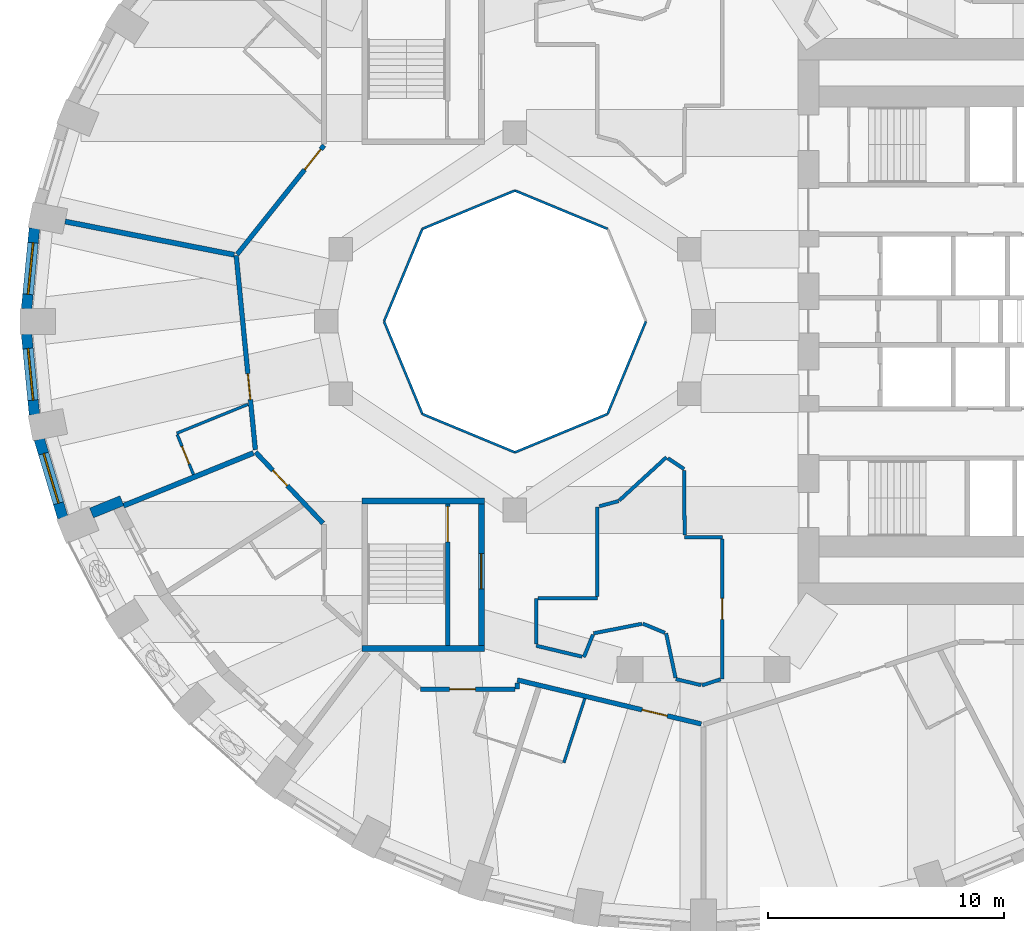
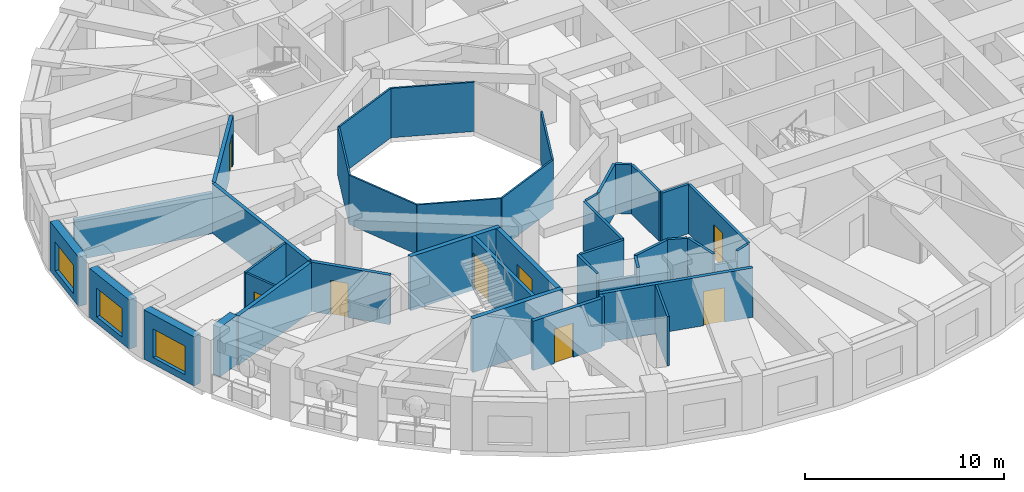
# One storey, part 4 of 13: 42 walls, 9 doors, 3 windows, 12 openings.
"""IFC4 building model written with IfcOpenShell, lengths in metres."""

from ifc_helpers import new_model, si_unit, direction, frame, frame_2d, origin, place, context, subcontext, project, spatial, rectangle, extrude, material, layer, layer_set, type_object, element, fill, save


model = new_model("IFC4")

# Units and contexts
model_context = context("Model", 3, precision=1e-05, world=origin(), true_north=direction((0.0, 1.0)))
body_context = subcontext(model_context, "Body", "Model", "MODEL_VIEW")
ifc_project = project(units=[si_unit("LENGTHUNIT", "METRE"), si_unit("AREAUNIT", "SQUARE_METRE"), si_unit("VOLUMEUNIT", "CUBIC_METRE"), si_unit("PLANEANGLEUNIT", "RADIAN"), si_unit("MASSUNIT", "GRAM", prefix="KILO")], contexts=[model_context])

# Site, building, storey
site_placement = place(None, origin())
site = spatial("IfcSite", under=ifc_project, at=site_placement, CompositionType="ELEMENT")
building_placement = place(site_placement, origin())
building = spatial("IfcBuilding", under=site, at=building_placement, Name="Taillehof Tower", CompositionType="ELEMENT")
storey_placement = place(building_placement, frame((0.0, 0.0, 58.0)))
storey = spatial("IfcBuildingStorey", under=building, at=storey_placement, Name="L15", CompositionType="ELEMENT", Elevation=58.0)

# Walls
ifc_material_1 = material(Name="Fire-resisting glass in steel frame", Category="steel")
ifc_layer_1 = layer(ifc_material_1, 0.10009765625)
ifc_layer_set_1 = layer_set([ifc_layer_1], Name="Atrium fire-resisting screen EI 60 100")
wall_type_1 = type_object("IfcWallType", Name="Atrium fire-resisting screen EI 60 100", PredefinedType="PARTITIONING", material=ifc_layer_set_1)
for number, where, z_axis, x_axis, name in (
    (1, (-2.44580078125, 0.0, 0.0), (0.0, 0.0, 1.0), (-0.382730523909, -0.923860025149, 0.0), "Atrium screen"),
    (2, (-4.07275390625, -3.92724609375, 0.0), (0.0, 0.0, 1.0), (-0.923860025149, -0.382730523909, 0.0), "Atrium screen"),
    (3, (-8.0, -5.55419921875, 0.0), (0.0, 0.0, 1.0), (-0.923860025149, 0.382730523909, 0.0), "Atrium screen"),
    (4, (-11.92724609375, -3.92724609375, 0.0), (0.0, 0.0, 1.0), (-0.382730523909, 0.923860025149, 0.0), "Atrium screen"),
    (5, (-13.55419921875, 0.0, 0.0), (0.0, 0.0, 1.0), (0.382730523909, 0.923860025149, 0.0), "Atrium screen"),
    (6, (-11.92724609375, 3.92724609375, 0.0), (0.0, 0.0, 1.0), (0.923860025149, 0.382730523909, 0.0), "Atrium screen"),
    (7, (-8.0, 5.55419921875, 0.0), (0.0, 0.0, 1.0), (0.923860025149, -0.382730523909, 0.0), "Atrium screen"),
):
    element("IfcWall", number, at=place(storey_placement, frame(where, z_axis=z_axis, x_axis=x_axis)), inside=storey, type_object=wall_type_1, Name=name, PredefinedType="PARTITIONING", context=body_context, shape_type="SweptSolid", body=[
        extrude(rectangle(XDim=4.2509765625, YDim=0.10009765625, at=frame_2d((2.12548828125, 0.0))), origin(), (0.0, 0.0, 1.0), 3.02001953125),
    ])

# Wall, opening, window
ifc_material_2 = material(Name="Brick masonry", Category="masonry")
ifc_layer_2 = layer(ifc_material_2, 0.449951171875)
ifc_layer_set_2 = layer_set([ifc_layer_2], Name="Brick infill wall 450")
wall_type_2 = type_object("IfcWallType", Name="Brick infill wall 450", PredefinedType="SOLIDWALL", material=ifc_layer_set_2)
wall_1_placement = place(storey_placement, frame((-28.38671875, 3.95556640625, 0.0), z_axis=(0.0, 0.0, 1.0), x_axis=(-0.097389581596, -0.995246336038, 0.0)))
wall_1 = element("IfcWall", 8, at=wall_1_placement, inside=storey, type_object=wall_type_2, Name="Brick wall L15 bay 18", PredefinedType="SOLIDWALL", context=body_context, shape_type="SweptSolid", body=[
    extrude(rectangle(XDim=3.44189453125, YDim=0.449951171875, at=frame_2d((1.720947265625, 0.0))), origin(), (0.0, 0.0, 1.0), 3.02001953125),
])
opening_1_placement = place(wall_1_placement, frame((0.62109375, 0.0, 0.39990234375)))
opening_1 = element("IfcOpeningElement", 9, at=opening_1_placement, cuts=wall_1, Name="Opening W1", PredefinedType="OPENING", context=body_context, shape_type="SweptSolid", body=[
    extrude(rectangle(XDim=2.199951171875, YDim=1.75, at=frame_2d((1.10009765625, 0.875))), frame((0.0, 0.23486328125, 0.0), z_axis=(0.0, -1.0, 0.0), x_axis=(1.0, 0.0, 0.0)), (0.0, 0.0, 1.0), 0.469970703125),
])
ifc_material_3 = material(Name="Aluminium window frame with clear double glazing", Category="aluminium")
window_type = type_object("IfcWindowType", Name="Deep-set window 2200x1750", PartitioningType="SINGLE_PANEL", PredefinedType="WINDOW", material=ifc_material_3)
window_1_placement = place(opening_1_placement, origin())
window_1 = element("IfcWindow", 10, at=window_1_placement, inside=storey, type_object=window_type, Name="W1", OverallHeight=1.75, OverallWidth=2.199951171875, PartitioningType="SINGLE_PANEL", PredefinedType="WINDOW", context=body_context, shape_type="SweptSolid", body=[
    extrude(rectangle(XDim=2.199951171875, YDim=1.75, at=frame_2d((1.10009765625, 0.875))), frame((0.0, 0.034912109375, 0.0), z_axis=(0.0, -1.0, 0.0), x_axis=(1.0, 0.0, 0.0)), (0.0, 0.0, 1.0), 0.06005859375),
])
fill(opening_1, window_1)

wall_2_placement = place(storey_placement, frame((-28.721923828125, -0.530029296875, 0.0), z_axis=(0.0, 0.0, 1.0), x_axis=(0.097389581596, -0.995246336038, 0.0)))
wall_2 = element("IfcWall", 11, at=wall_2_placement, inside=storey, type_object=wall_type_2, Name="Brick wall L15 bay 19", PredefinedType="SOLIDWALL", context=body_context, shape_type="SweptSolid", body=[
    extrude(rectangle(XDim=3.44189453125, YDim=0.449951171875, at=frame_2d((1.720947265625, 0.0))), origin(), (0.0, 0.0, 1.0), 3.02001953125),
])
opening_2_placement = place(wall_2_placement, frame((0.62109375, 0.0, 0.39990234375)))
opening_2 = element("IfcOpeningElement", 12, at=opening_2_placement, cuts=wall_2, Name="Opening W1", PredefinedType="OPENING", context=body_context, shape_type="SweptSolid", body=[
    extrude(rectangle(XDim=2.199951171875, YDim=1.75, at=frame_2d((1.10009765625, 0.875))), frame((0.0, 0.23486328125, 0.0), z_axis=(0.0, -1.0, 0.0), x_axis=(1.0, 0.0, 0.0)), (0.0, 0.0, 1.0), 0.469970703125),
])
window_2_placement = place(opening_2_placement, origin())
window_2 = element("IfcWindow", 13, at=window_2_placement, inside=storey, type_object=window_type, Name="W1", OverallHeight=1.75, OverallWidth=2.199951171875, PartitioningType="SINGLE_PANEL", PredefinedType="WINDOW", context=body_context, shape_type="SweptSolid", body=[
    extrude(rectangle(XDim=2.199951171875, YDim=1.75, at=frame_2d((1.10009765625, 0.875))), frame((0.0, 0.034912109375, 0.0), z_axis=(0.0, -1.0, 0.0), x_axis=(1.0, 0.0, 0.0)), (0.0, 0.0, 1.0), 0.06005859375),
])
fill(opening_2, window_2)

wall_3_placement = place(storey_placement, frame((-28.181884765625, -4.995849609375, 0.0), z_axis=(0.0, 0.0, 1.0), x_axis=(0.287064133733, -0.957911364963, 0.0)))
wall_3 = element("IfcWall", 14, at=wall_3_placement, inside=storey, type_object=wall_type_2, Name="Brick wall L15 bay 20", PredefinedType="SOLIDWALL", context=body_context, shape_type="SweptSolid", body=[
    extrude(rectangle(XDim=3.473388671875, YDim=0.449951171875, at=frame_2d((1.73681640625, 0.0))), origin(), (0.0, 0.0, 1.0), 3.02001953125),
])
opening_3_placement = place(wall_3_placement, frame((0.63671875, 0.0, 0.39990234375)))
opening_3 = element("IfcOpeningElement", 15, at=opening_3_placement, cuts=wall_3, Name="Opening W1", PredefinedType="OPENING", context=body_context, shape_type="SweptSolid", body=[
    extrude(rectangle(XDim=2.199951171875, YDim=1.75, at=frame_2d((1.10009765625, 0.875))), frame((0.0, 0.23486328125, 0.0), z_axis=(0.0, -1.0, 0.0), x_axis=(1.0, 0.0, 0.0)), (0.0, 0.0, 1.0), 0.469970703125),
])
window_3_placement = place(opening_3_placement, origin())
window_3 = element("IfcWindow", 16, at=window_3_placement, inside=storey, type_object=window_type, Name="W1", OverallHeight=1.75, OverallWidth=2.199951171875, PartitioningType="SINGLE_PANEL", PredefinedType="WINDOW", context=body_context, shape_type="SweptSolid", body=[
    extrude(rectangle(XDim=2.199951171875, YDim=1.75, at=frame_2d((1.10009765625, 0.875))), frame((0.0, 0.034912109375, 0.0), z_axis=(0.0, -1.0, 0.0), x_axis=(1.0, 0.0, 0.0)), (0.0, 0.0, 1.0), 0.06005859375),
])
fill(opening_3, window_3)

# Wall
wall_4_placement = place(storey_placement, frame((-25.96484375, -8.12744140625, 0.0), z_axis=(0.0, 0.0, 1.0), x_axis=(0.926575599743, 0.376108572039, 0.0)))
element("IfcWall", 17, at=wall_4_placement, inside=storey, type_object=wall_type_2, Name="Brick reveal L15 pocket 6", PredefinedType="SOLIDWALL", context=body_context, shape_type="SweptSolid", body=[
    extrude(rectangle(XDim=1.390380859375, YDim=0.449951171875, at=frame_2d((0.6953125, 0.0))), origin(), (0.0, 0.0, 1.0), 3.02001953125),
])

# Wall, opening, door
ifc_material_4 = material(Name="Gypsum board on steel studs, two layers each side", Category="steel")
ifc_layer_3 = layer(ifc_material_4, 0.199951171875)
ifc_layer_set_3 = layer_set([ifc_layer_3], Name="Compartment wall corridor 200")
wall_type_3 = type_object("IfcWallType", Name="Compartment wall corridor 200", PredefinedType="PARTITIONING", material=ifc_layer_set_3)
wall_5_placement = place(storey_placement, frame((-16.14111328125, -8.565673828125, 0.0), z_axis=(0.0, 0.0, 1.0), x_axis=(-0.687938220375, 0.725769250483, 0.0)))
wall_5 = element("IfcWall", 18, at=wall_5_placement, inside=storey, type_object=wall_type_3, Name="Compartment wall", PredefinedType="PARTITIONING", context=body_context, shape_type="SweptSolid", body=[
    extrude(rectangle(XDim=4.162353515625, YDim=0.199951171875, at=frame_2d((2.0810546875, 0.0))), origin(), (0.0, 0.0, 1.0), 3.02001953125),
])
opening_4_placement = place(wall_5_placement, frame((2.201171875, 0.0, 0.0)))
opening_4 = element("IfcOpeningElement", 19, at=opening_4_placement, cuts=wall_5, Name="Opening D1554", PredefinedType="OPENING", context=body_context, shape_type="SweptSolid", body=[
    extrude(rectangle(XDim=0.89990234375, YDim=2.10009765625, at=frame_2d((0.449951171875, 1.050048828125))), frame((0.0, 0.10986328125, 0.0), z_axis=(0.0, -1.0, 0.0), x_axis=(1.0, 0.0, 0.0)), (0.0, 0.0, 1.0), 0.219970703125),
])
ifc_material_5 = material(Name="Timber door leaf in steel frame", Category="steel")
door_type_1 = type_object("IfcDoorType", Name="Service room door EI 30 900 x 2100", OperationType="SINGLE_SWING_LEFT", PredefinedType="DOOR", material=ifc_material_5)
door_1_placement = place(opening_4_placement, origin())
door_1 = element("IfcDoor", 20, at=door_1_placement, inside=storey, type_object=door_type_1, Name="D1554", OperationType="SINGLE_SWING_LEFT", OverallHeight=2.10009765625, OverallWidth=0.89990234375, PredefinedType="DOOR", context=body_context, shape_type="SweptSolid", body=[
    extrude(rectangle(XDim=0.89990234375, YDim=2.10009765625, at=frame_2d((0.449951171875, 1.050048828125))), frame((0.0, 0.02490234375, 0.0), z_axis=(0.0, -1.0, 0.0), x_axis=(1.0, 0.0, 0.0)), (0.0, 0.0, 1.0), 0.050048828125),
])
fill(opening_4, door_1)

wall_6_placement = place(storey_placement, frame((-19.014404296875, -5.444580078125, 0.0), z_axis=(0.0, 0.0, 1.0), x_axis=(-0.098076369896, 0.995178891289, 0.0)))
wall_6 = element("IfcWall", 21, at=wall_6_placement, inside=storey, type_object=wall_type_3, Name="Compartment wall", PredefinedType="PARTITIONING", context=body_context, shape_type="SweptSolid", body=[
    extrude(rectangle(XDim=8.281982421875, YDim=0.199951171875, at=frame_2d((4.14111328125, 0.0))), origin(), (0.0, 0.0, 1.0), 3.02001953125),
])
opening_5_placement = place(wall_6_placement, frame((2.142333984375, 0.0, 0.0)))
opening_5 = element("IfcOpeningElement", 22, at=opening_5_placement, cuts=wall_6, Name="Opening D1552", PredefinedType="OPENING", context=body_context, shape_type="SweptSolid", body=[
    extrude(rectangle(XDim=1.10009765625, YDim=2.10009765625, at=frame_2d((0.550048828125, 1.050048828125))), frame((0.0, 0.10986328125, 0.0), z_axis=(0.0, -1.0, 0.0), x_axis=(1.0, 0.0, 0.0)), (0.0, 0.0, 1.0), 0.219970703125),
])
ifc_material_6 = material(Name="Timber door leaf in steel frame", Category="steel")
door_type_2 = type_object("IfcDoorType", Name="Suite entrance door EI 30 1100 x 2100", OperationType="SINGLE_SWING_LEFT", PredefinedType="DOOR", material=ifc_material_6)
door_2_placement = place(opening_5_placement, origin())
door_2 = element("IfcDoor", 23, at=door_2_placement, inside=storey, type_object=door_type_2, Name="D1552", OperationType="SINGLE_SWING_LEFT", OverallHeight=2.10009765625, OverallWidth=1.10009765625, PredefinedType="DOOR", context=body_context, shape_type="SweptSolid", body=[
    extrude(rectangle(XDim=1.10009765625, YDim=2.10009765625, at=frame_2d((0.550048828125, 1.050048828125))), frame((0.0, 0.02490234375, 0.0), z_axis=(0.0, -1.0, 0.0), x_axis=(1.0, 0.0, 0.0)), (0.0, 0.0, 1.0), 0.050048828125),
])
fill(opening_5, door_2)

wall_7_placement = place(storey_placement, frame((-19.789306640625, 2.84423828125, 0.0), z_axis=(0.0, 0.0, 1.0), x_axis=(0.623300670662, 0.781982272147, 0.0)))
wall_7 = element("IfcWall", 24, at=wall_7_placement, inside=storey, type_object=wall_type_3, Name="Compartment wall", PredefinedType="PARTITIONING", context=body_context, shape_type="SweptSolid", body=[
    extrude(rectangle(XDim=5.9189453125, YDim=0.199951171875, at=frame_2d((2.95947265625, 0.0))), origin(), (0.0, 0.0, 1.0), 3.02001953125),
])
opening_6_placement = place(wall_7_placement, frame((4.598876953125, 0.0, 0.0)))
opening_6 = element("IfcOpeningElement", 25, at=opening_6_placement, cuts=wall_7, Name="Opening D1550", PredefinedType="OPENING", context=body_context, shape_type="SweptSolid", body=[
    extrude(rectangle(XDim=1.10009765625, YDim=2.10009765625, at=frame_2d((0.550048828125, 1.050048828125))), frame((0.0, 0.10986328125, 0.0), z_axis=(0.0, -1.0, 0.0), x_axis=(1.0, 0.0, 0.0)), (0.0, 0.0, 1.0), 0.219970703125),
])
door_3_placement = place(opening_6_placement, origin())
door_3 = element("IfcDoor", 26, at=door_3_placement, inside=storey, type_object=door_type_2, Name="D1550", OperationType="SINGLE_SWING_RIGHT", OverallHeight=2.10009765625, OverallWidth=1.10009765625, PredefinedType="DOOR", context=body_context, shape_type="SweptSolid", body=[
    extrude(rectangle(XDim=1.10009765625, YDim=2.10009765625, at=frame_2d((0.550048828125, 1.050048828125))), frame((0.0, 0.02490234375, 0.0), z_axis=(0.0, -1.0, 0.0), x_axis=(1.0, 0.0, 0.0)), (0.0, 0.0, 1.0), 0.050048828125),
])
fill(opening_6, door_3)

wall_8_placement = place(storey_placement, frame((-0.09765625, -17.076904296875, 0.0), z_axis=(0.0, 0.0, 1.0), x_axis=(-0.972607318404, 0.232454305588, 0.0)))
wall_8 = element("IfcWall", 27, at=wall_8_placement, inside=storey, type_object=wall_type_3, Name="Compartment wall", PredefinedType="PARTITIONING", context=body_context, shape_type="SweptSolid", body=[
    extrude(rectangle(XDim=8.02197265625, YDim=0.199951171875, at=frame_2d((4.010986328125, 0.0))), origin(), (0.0, 0.0, 1.0), 3.02001953125),
])
opening_7_placement = place(wall_8_placement, frame((1.478759765625, 0.0, 0.0)))
opening_7 = element("IfcOpeningElement", 28, at=opening_7_placement, cuts=wall_8, Name="Opening D1559", PredefinedType="OPENING", context=body_context, shape_type="SweptSolid", body=[
    extrude(rectangle(XDim=1.10009765625, YDim=2.10009765625, at=frame_2d((0.550048828125, 1.050048828125))), frame((0.0, 0.10986328125, 0.0), z_axis=(0.0, -1.0, 0.0), x_axis=(1.0, 0.0, 0.0)), (0.0, 0.0, 1.0), 0.219970703125),
])
door_4_placement = place(opening_7_placement, origin())
door_4 = element("IfcDoor", 29, at=door_4_placement, inside=storey, type_object=door_type_2, Name="D1559", OperationType="SINGLE_SWING_LEFT", OverallHeight=2.10009765625, OverallWidth=1.10009765625, PredefinedType="DOOR", context=body_context, shape_type="SweptSolid", body=[
    extrude(rectangle(XDim=1.10009765625, YDim=2.10009765625, at=frame_2d((0.550048828125, 1.050048828125))), frame((0.0, 0.02490234375, 0.0), z_axis=(0.0, -1.0, 0.0), x_axis=(1.0, 0.0, 0.0)), (0.0, 0.0, 1.0), 0.050048828125),
])
fill(opening_7, door_4)

# Wall
wall_9_placement = place(storey_placement, frame((-7.89990234375, -15.332275390625, 0.0), z_axis=(0.0, 0.0, 1.0), x_axis=(0.0, -1.0, 0.0)))
element("IfcWall", 30, at=wall_9_placement, inside=storey, type_object=wall_type_3, Name="Compartment wall", PredefinedType="PARTITIONING", context=body_context, shape_type="SweptSolid", body=[
    extrude(rectangle(XDim=0.267822265625, YDim=0.199951171875, at=frame_2d((0.1337890625, 0.0))), origin(), (0.0, 0.0, 1.0), 3.02001953125),
])

# Wall, opening, door
wall_10_placement = place(storey_placement, frame((-8.0, -15.60009765625, 0.0), z_axis=(0.0, 0.0, 1.0), x_axis=(-1.0, 0.0, 0.0)))
wall_10 = element("IfcWall", 31, at=wall_10_placement, inside=storey, type_object=wall_type_3, Name="Compartment wall", PredefinedType="PARTITIONING", context=body_context, shape_type="SweptSolid", body=[
    extrude(rectangle(XDim=4.00927734375, YDim=0.199951171875, at=frame_2d((2.004638671875, 0.0))), origin(), (0.0, 0.0, 1.0), 3.02001953125),
])
opening_8_placement = place(wall_10_placement, frame((1.676025390625, 0.0, 0.0)))
opening_8 = element("IfcOpeningElement", 32, at=opening_8_placement, cuts=wall_10, Name="Opening D1557", PredefinedType="OPENING", context=body_context, shape_type="SweptSolid", body=[
    extrude(rectangle(XDim=1.10009765625, YDim=2.10009765625, at=frame_2d((0.550048828125, 1.050048828125))), frame((0.0, 0.10986328125, 0.0), z_axis=(0.0, -1.0, 0.0), x_axis=(1.0, 0.0, 0.0)), (0.0, 0.0, 1.0), 0.219970703125),
])
door_5_placement = place(opening_8_placement, origin())
door_5 = element("IfcDoor", 33, at=door_5_placement, inside=storey, type_object=door_type_2, Name="D1557", OperationType="SINGLE_SWING_LEFT", OverallHeight=2.10009765625, OverallWidth=1.10009765625, PredefinedType="DOOR", context=body_context, shape_type="SweptSolid", body=[
    extrude(rectangle(XDim=1.10009765625, YDim=2.10009765625, at=frame_2d((0.550048828125, 1.050048828125))), frame((0.0, 0.02490234375, 0.0), z_axis=(0.0, -1.0, 0.0), x_axis=(1.0, 0.0, 0.0)), (0.0, 0.0, 1.0), 0.050048828125),
])
fill(opening_8, door_5)

# Walls
ifc_material_7 = material(Name="Gypsum board on double steel studs with mineral wool", Category="steel")
ifc_layer_4 = layer(ifc_material_7, 0.219970703125)
ifc_layer_set_4 = layer_set([ifc_layer_4], Name="Compartment wall guest room 220")
wall_type_4 = type_object("IfcWallType", Name="Compartment wall guest room 220", PredefinedType="PARTITIONING", material=ifc_layer_set_4)
wall_11_placement = place(storey_placement, frame((-27.0849609375, 4.239990234375, 0.0), z_axis=(0.0, 0.0, 1.0), x_axis=(0.981202333999, -0.192981811981, 0.0)))
element("IfcWall", 34, at=wall_11_placement, inside=storey, type_object=wall_type_4, Name="Compartment wall", PredefinedType="PARTITIONING", context=body_context, shape_type="SweptSolid", body=[
    extrude(rectangle(XDim=7.312255859375, YDim=0.219970703125, at=frame_2d((3.65625, 0.0))), origin(), (0.0, 0.0, 1.0), 2.469970703125),
])
wall_12_placement = place(storey_placement, frame((-24.608642578125, -7.81982421875, 0.0), z_axis=(0.0, 0.0, 1.0), x_axis=(0.926562262773, 0.376141427131, 0.0)))
element("IfcWall", 35, at=wall_12_placement, inside=storey, type_object=wall_type_4, Name="Compartment wall", PredefinedType="PARTITIONING", context=body_context, shape_type="SweptSolid", body=[
    extrude(rectangle(XDim=5.947998046875, YDim=0.219970703125, at=frame_2d((2.97412109375, 0.0))), origin(), (0.0, 0.0, 1.0), 3.02001953125),
])
ifc_material_8 = material(Name="Gypsum board on steel studs, two layers each side", Category="steel")
ifc_layer_5 = layer(ifc_material_8, 0.14990234375)
ifc_layer_set_5 = layer_set([ifc_layer_5], Name="Compartment wall service room 150")
wall_type_5 = type_object("IfcWallType", Name="Compartment wall service room 150", PredefinedType="PARTITIONING", material=ifc_layer_set_5)
wall_13_placement = place(storey_placement, frame((-0.800048828125, -9.14990234375, 0.0), z_axis=(0.0, 0.0, 1.0), x_axis=(1.0, 0.0, 0.0)))
element("IfcWall", 36, at=wall_13_placement, inside=storey, type_object=wall_type_5, Name="Compartment wall", PredefinedType="PARTITIONING", context=body_context, shape_type="SweptSolid", body=[
    extrude(rectangle(XDim=1.60009765625, YDim=0.14990234375, at=frame_2d((0.800048828125, 0.0))), origin(), (0.0, 0.0, 1.0), 3.02001953125),
])

# Wall, opening, door
wall_14_placement = place(storey_placement, frame((0.800048828125, -9.22998046875, 0.0), z_axis=(0.0, 0.0, 1.0), x_axis=(0.0, -1.0, 0.0)))
wall_14 = element("IfcWall", 37, at=wall_14_placement, inside=storey, type_object=wall_type_5, Name="Compartment wall", PredefinedType="PARTITIONING", context=body_context, shape_type="SweptSolid", body=[
    extrude(rectangle(XDim=5.929931640625, YDim=0.14990234375, at=frame_2d((2.96484375, 0.0))), origin(), (0.0, 0.0, 1.0), 3.02001953125),
])
opening_9_placement = place(wall_14_placement, frame((2.514892578125, 0.0, 0.0)))
opening_9 = element("IfcOpeningElement", 38, at=opening_9_placement, cuts=wall_14, Name="Opening D1570", PredefinedType="OPENING", context=body_context, shape_type="SweptSolid", body=[
    extrude(rectangle(XDim=0.89990234375, YDim=2.10009765625, at=frame_2d((0.449951171875, 1.050048828125))), frame((0.0, 0.0849609375, 0.0), z_axis=(0.0, -1.0, 0.0), x_axis=(1.0, 0.0, 0.0)), (0.0, 0.0, 1.0), 0.169921875),
])
door_6_placement = place(opening_9_placement, origin())
door_6 = element("IfcDoor", 39, at=door_6_placement, inside=storey, type_object=door_type_1, Name="D1570", OperationType="SINGLE_SWING_LEFT", OverallHeight=2.10009765625, OverallWidth=0.89990234375, PredefinedType="DOOR", context=body_context, shape_type="SweptSolid", body=[
    extrude(rectangle(XDim=0.89990234375, YDim=2.10009765625, at=frame_2d((0.449951171875, 1.050048828125))), frame((0.0, 0.02490234375, 0.0), z_axis=(0.0, -1.0, 0.0), x_axis=(1.0, 0.0, 0.0)), (0.0, 0.0, 1.0), 0.050048828125),
])
fill(opening_9, door_6)

# Walls
wall_15_placement = place(storey_placement, frame((0.723876953125, -15.184326171875, 0.0), z_axis=(0.0, 0.0, 1.0), x_axis=(-0.951444518554, -0.307820285415, 0.0)))
element("IfcWall", 40, at=wall_15_placement, inside=storey, type_object=wall_type_5, Name="Compartment wall", PredefinedType="PARTITIONING", context=body_context, shape_type="SweptSolid", body=[
    extrude(rectangle(XDim=0.828857421875, YDim=0.14990234375, at=frame_2d((0.41455078125, 0.0))), origin(), (0.0, 0.0, 1.0), 3.02001953125),
])
wall_16_placement = place(storey_placement, frame((-0.103759765625, -15.43017578125, 0.0), z_axis=(0.0, 0.0, 1.0), x_axis=(-0.972630060885, 0.232359128642, 0.0)))
element("IfcWall", 41, at=wall_16_placement, inside=storey, type_object=wall_type_5, Name="Compartment wall", PredefinedType="PARTITIONING", context=body_context, shape_type="SweptSolid", body=[
    extrude(rectangle(XDim=1.102294921875, YDim=0.14990234375, at=frame_2d((0.55126953125, 0.0))), origin(), (0.0, 0.0, 1.0), 2.419921875),
])
wall_17_placement = place(storey_placement, frame((-1.188232421875, -15.115478515625, 0.0), z_axis=(0.0, 0.0, 1.0), x_axis=(-0.20649628494, 0.978447384536, 0.0)))
element("IfcWall", 42, at=wall_17_placement, inside=storey, type_object=wall_type_5, Name="Compartment wall", PredefinedType="PARTITIONING", context=body_context, shape_type="SweptSolid", body=[
    extrude(rectangle(XDim=1.9248046875, YDim=0.14990234375, at=frame_2d((0.96240234375, 0.0))), origin(), (0.0, 0.0, 1.0), 3.02001953125),
])
wall_18_placement = place(storey_placement, frame((-1.641357421875, -13.20947265625, 0.0), z_axis=(0.0, 0.0, 1.0), x_axis=(-0.923725449546, 0.383055209937, 0.0)))
element("IfcWall", 43, at=wall_18_placement, inside=storey, type_object=wall_type_5, Name="Compartment wall", PredefinedType="PARTITIONING", context=body_context, shape_type="SweptSolid", body=[
    extrude(rectangle(XDim=1.011474609375, YDim=0.14990234375, at=frame_2d((0.505859375, 0.0))), origin(), (0.0, 0.0, 1.0), 3.02001953125),
])
wall_19_placement = place(storey_placement, frame((-2.61474609375, -12.829833984375, 0.0), z_axis=(0.0, 0.0, 1.0), x_axis=(-0.981297312652, -0.192498270593, 0.0)))
element("IfcWall", 44, at=wall_19_placement, inside=storey, type_object=wall_type_5, Name="Compartment wall", PredefinedType="PARTITIONING", context=body_context, shape_type="SweptSolid", body=[
    extrude(rectangle(XDim=2.090087890625, YDim=0.14990234375, at=frame_2d((1.044921875, 0.0))), origin(), (0.0, 0.0, 1.0), 3.02001953125),
])
wall_20_placement = place(storey_placement, frame((-4.6884765625, -13.287841796875, 0.0), z_axis=(0.0, 0.0, 1.0), x_axis=(-0.375963709287, -0.926634388148, 0.0)))
element("IfcWall", 45, at=wall_20_placement, inside=storey, type_object=wall_type_5, Name="Compartment wall", PredefinedType="PARTITIONING", context=body_context, shape_type="SweptSolid", body=[
    extrude(rectangle(XDim=1.02978515625, YDim=0.14990234375, at=frame_2d((0.514892578125, 0.0))), origin(), (0.0, 0.0, 1.0), 3.02001953125),
])
wall_21_placement = place(storey_placement, frame((-5.15380859375, -14.2236328125, 0.0), z_axis=(0.0, 0.0, 1.0), x_axis=(-0.97258848944, 0.232533073366, 0.0)))
element("IfcWall", 46, at=wall_21_placement, inside=storey, type_object=wall_type_5, Name="Compartment wall", PredefinedType="PARTITIONING", context=body_context, shape_type="SweptSolid", body=[
    extrude(rectangle(XDim=2.001220703125, YDim=0.14990234375, at=frame_2d((1.00048828125, 0.0))), origin(), (0.0, 0.0, 1.0), 2.570068359375),
])
wall_22_placement = place(storey_placement, frame((-7.10009765625, -13.67822265625, 0.0), z_axis=(0.0, 0.0, 1.0), x_axis=(0.0, 1.0, 0.0)))
element("IfcWall", 47, at=wall_22_placement, inside=storey, type_object=wall_type_5, Name="Compartment wall", PredefinedType="PARTITIONING", context=body_context, shape_type="SweptSolid", body=[
    extrude(rectangle(XDim=1.92822265625, YDim=0.14990234375, at=frame_2d((0.964111328125, 0.0))), origin(), (0.0, 0.0, 1.0), 3.02001953125),
])
wall_23_placement = place(storey_placement, frame((-7.02001953125, -11.75, 0.0), z_axis=(0.0, 0.0, 1.0), x_axis=(1.0, 0.0, 0.0)))
element("IfcWall", 48, at=wall_23_placement, inside=storey, type_object=wall_type_5, Name="Compartment wall", PredefinedType="PARTITIONING", context=body_context, shape_type="SweptSolid", body=[
    extrude(rectangle(XDim=2.52001953125, YDim=0.14990234375, at=frame_2d((1.260009765625, 0.0))), origin(), (0.0, 0.0, 1.0), 3.02001953125),
])
wall_24_placement = place(storey_placement, frame((-4.5, -11.669921875, 0.0), z_axis=(0.0, 0.0, 1.0), x_axis=(0.0, 1.0, 0.0)))
element("IfcWall", 49, at=wall_24_placement, inside=storey, type_object=wall_type_5, Name="Compartment wall", PredefinedType="PARTITIONING", context=body_context, shape_type="SweptSolid", body=[
    extrude(rectangle(XDim=3.807861328125, YDim=0.14990234375, at=frame_2d((1.90380859375, 0.0))), origin(), (0.0, 0.0, 1.0), 3.02001953125),
])
wall_25_placement = place(storey_placement, frame((-4.4228515625, -7.841552734375, 0.0), z_axis=(0.0, 0.0, 1.0), x_axis=(0.965853333569, 0.259089440221, 0.0)))
element("IfcWall", 50, at=wall_25_placement, inside=storey, type_object=wall_type_5, Name="Compartment wall", PredefinedType="PARTITIONING", context=body_context, shape_type="SweptSolid", body=[
    extrude(rectangle(XDim=0.851806640625, YDim=0.14990234375, at=frame_2d((0.42578125, 0.0))), origin(), (0.0, 0.0, 1.0), 3.02001953125),
])
wall_26_placement = place(storey_placement, frame((-3.57080078125, -7.593994140625, 0.0), z_axis=(0.0, 0.0, 1.0), x_axis=(0.736783660812, 0.676128565555, 0.0)))
element("IfcWall", 51, at=wall_26_placement, inside=storey, type_object=wall_type_5, Name="Compartment wall", PredefinedType="PARTITIONING", context=body_context, shape_type="SweptSolid", body=[
    extrude(rectangle(XDim=2.708984375, YDim=0.14990234375, at=frame_2d((1.3544921875, 0.0))), origin(), (0.0, 0.0, 1.0), 3.02001953125),
])
wall_27_placement = place(storey_placement, frame((-1.508544921875, -5.806396484375, 0.0), z_axis=(0.0, 0.0, 1.0), x_axis=(0.831367153095, -0.55572354346, 0.0)))
element("IfcWall", 52, at=wall_27_placement, inside=storey, type_object=wall_type_5, Name="Compartment wall", PredefinedType="PARTITIONING", context=body_context, shape_type="SweptSolid", body=[
    extrude(rectangle(XDim=0.825439453125, YDim=0.14990234375, at=frame_2d((0.41259765625, 0.0))), origin(), (0.0, 0.0, 1.0), 3.02001953125),
])
wall_28_placement = place(storey_placement, frame((-0.821533203125, -6.3251953125, 0.0), z_axis=(0.0, 0.0, 1.0), x_axis=(0.007471771501, -0.999972085926, 0.0)))
element("IfcWall", 53, at=wall_28_placement, inside=storey, type_object=wall_type_5, Name="Compartment wall", PredefinedType="PARTITIONING", context=body_context, shape_type="SweptSolid", body=[
    extrude(rectangle(XDim=2.74462890625, YDim=0.14990234375, at=frame_2d((1.372314453125, 0.0))), origin(), (0.0, 0.0, 1.0), 3.02001953125),
])
ifc_material_9 = material(Name="Gypsum board on steel studs, moisture resistant", Category="steel")
ifc_layer_6 = layer(ifc_material_9, 0.1201171875)
ifc_layer_set_6 = layer_set([ifc_layer_6], Name="En-suite wall 120")
wall_type_6 = type_object("IfcWallType", Name="En-suite wall 120", PredefinedType="PARTITIONING", material=ifc_layer_set_6)
wall_29_placement = place(storey_placement, frame((-19.32421875, -3.51611328125, 0.0), z_axis=(0.0, 0.0, 1.0), x_axis=(-0.926573216048, -0.376114444421, 0.0)))
element("IfcWall", 54, at=wall_29_placement, inside=storey, type_object=wall_type_6, Name="En-suite wall", PredefinedType="PARTITIONING", context=body_context, shape_type="SweptSolid", body=[
    extrude(rectangle(XDim=3.26708984375, YDim=0.1201171875, at=frame_2d((1.633544921875, 0.0))), origin(), (0.0, 0.0, 1.0), 3.02001953125),
])
wall_30_placement = place(storey_placement, frame((-5.03662109375, -15.999267578125, 0.0), z_axis=(0.0, 0.0, 1.0), x_axis=(-0.310181518973, -0.950677350781, 0.0)))
element("IfcWall", 55, at=wall_30_placement, inside=storey, type_object=wall_type_6, Name="En-suite wall", PredefinedType="PARTITIONING", context=body_context, shape_type="SweptSolid", body=[
    extrude(rectangle(XDim=2.86181640625, YDim=0.1201171875, at=frame_2d((1.430908203125, 0.0))), origin(), (0.0, 0.0, 1.0), 3.02001953125),
])

# Wall, opening, door
wall_31_placement = place(storey_placement, frame((-22.32861328125, -4.800537109375, 0.0), z_axis=(0.0, 0.0, 1.0), x_axis=(0.376101474088, -0.926578480858, 0.0)))
wall_31 = element("IfcWall", 56, at=wall_31_placement, inside=storey, type_object=wall_type_6, Name="En-suite wall", PredefinedType="PARTITIONING", context=body_context, shape_type="SweptSolid", body=[
    extrude(rectangle(XDim=1.829833984375, YDim=0.1201171875, at=frame_2d((0.9150390625, 0.0))), origin(), (0.0, 0.0, 1.0), 3.02001953125),
])
opening_10_placement = place(wall_31_placement, frame((0.539794921875, 0.0, 0.0)))
opening_10 = element("IfcOpeningElement", 57, at=opening_10_placement, cuts=wall_31, Name="Opening D1553", PredefinedType="OPENING", context=body_context, shape_type="SweptSolid", body=[
    extrude(rectangle(XDim=0.800048828125, YDim=2.10009765625, at=frame_2d((0.39990234375, 1.050048828125))), frame((0.0, 0.070068359375, 0.0), z_axis=(0.0, -1.0, 0.0), x_axis=(1.0, 0.0, 0.0)), (0.0, 0.0, 1.0), 0.14013671875),
])
ifc_material_10 = material(Name="Timber door leaf in steel frame", Category="steel")
door_type_3 = type_object("IfcDoorType", Name="En-suite door 800 x 2100", OperationType="SINGLE_SWING_LEFT", PredefinedType="DOOR", material=ifc_material_10)
door_7_placement = place(opening_10_placement, origin())
door_7 = element("IfcDoor", 58, at=door_7_placement, inside=storey, type_object=door_type_3, Name="D1553", OperationType="SINGLE_SWING_LEFT", OverallHeight=2.10009765625, OverallWidth=0.800048828125, PredefinedType="DOOR", context=body_context, shape_type="SweptSolid", body=[
    extrude(rectangle(XDim=0.800048828125, YDim=2.10009765625, at=frame_2d((0.39990234375, 1.050048828125))), frame((0.0, 0.02490234375, 0.0), z_axis=(0.0, -1.0, 0.0), x_axis=(1.0, 0.0, 0.0)), (0.0, 0.0, 1.0), 0.050048828125),
])
fill(opening_10, door_7)

ifc_material_11 = material(Name="Concrete C50/60", Category="concrete")
ifc_layer_7 = layer(ifc_material_11, 0.199951171875)
ifc_layer_set_7 = layer_set([ifc_layer_7], Name="Shaft wall C50/60 200")
wall_type_7 = type_object("IfcWallType", Name="Shaft wall C50/60 200", PredefinedType="SHEAR", material=ifc_layer_set_7)
wall_32_placement = place(storey_placement, frame((-10.85009765625, -13.75, 0.0), z_axis=(0.0, 0.0, 1.0), x_axis=(0.0, 1.0, 0.0)))
wall_32 = element("IfcWall", 59, at=wall_32_placement, inside=storey, type_object=wall_type_7, Name="Shaft wall SW", PredefinedType="SHEAR", context=body_context, shape_type="SweptSolid", body=[
    extrude(rectangle(XDim=6.0, YDim=0.199951171875, at=frame_2d((3.0, 0.0))), origin(), (0.0, 0.0, 1.0), 3.02001953125),
])
opening_11_placement = place(wall_32_placement, frame((4.39990234375, 0.0, 0.0)))
opening_11 = element("IfcOpeningElement", 60, at=opening_11_placement, cuts=wall_32, Name="Opening D1513", PredefinedType="OPENING", context=body_context, shape_type="SweptSolid", body=[
    extrude(rectangle(XDim=1.5, YDim=2.10009765625, at=frame_2d((0.75, 1.050048828125))), frame((0.0, 0.10986328125, 0.0), z_axis=(0.0, -1.0, 0.0), x_axis=(1.0, 0.0, 0.0)), (0.0, 0.0, 1.0), 0.219970703125),
])
ifc_material_12 = material(Name="Steel-faced fire door", Category="steel")
door_type_4 = type_object("IfcDoorType", Name="Stair door 1500x2100", OperationType="DOUBLE_DOOR_SINGLE_SWING", PredefinedType="DOOR", material=ifc_material_12)
door_8_placement = place(opening_11_placement, origin())
door_8 = element("IfcDoor", 61, at=door_8_placement, inside=storey, type_object=door_type_4, Name="Stair lobby door S4", OperationType="DOUBLE_DOOR_SINGLE_SWING", OverallHeight=2.10009765625, OverallWidth=1.5, PredefinedType="DOOR", context=body_context, shape_type="SweptSolid", body=[
    extrude(rectangle(XDim=1.5, YDim=2.10009765625, at=frame_2d((0.75, 1.050048828125))), frame((0.0, 0.02490234375, 0.0), z_axis=(0.0, -1.0, 0.0), x_axis=(1.0, 0.0, 0.0)), (0.0, 0.0, 1.0), 0.050048828125),
])
fill(opening_11, door_8)

ifc_material_13 = material(Name="Concrete C50/60", Category="concrete")
ifc_layer_8 = layer(ifc_material_13, 0.25)
ifc_layer_set_8 = layer_set([ifc_layer_8], Name="Stair wall C50/60 250")
wall_type_8 = type_object("IfcWallType", Name="Stair wall C50/60 250", PredefinedType="SHEAR", material=ifc_layer_set_8)
wall_33_placement = place(storey_placement, frame((-9.425048828125, -13.75, -0.280029296875), z_axis=(0.0, 0.0, 1.0), x_axis=(0.0, 1.0, 0.0)))
wall_33 = element("IfcWall", 62, at=wall_33_placement, inside=storey, type_object=wall_type_8, Name="Stair wall SC", PredefinedType="SHEAR", context=body_context, shape_type="SweptSolid", body=[
    extrude(rectangle(XDim=6.0, YDim=0.25, at=frame_2d((3.0, 0.0))), origin(), (0.0, 0.0, 1.0), 3.300048828125),
])
opening_12_placement = place(wall_33_placement, frame((2.39990234375, 0.0, 0.280029296875)))
opening_12 = element("IfcOpeningElement", 63, at=opening_12_placement, cuts=wall_33, Name="Opening D1520", PredefinedType="OPENING", context=body_context, shape_type="SweptSolid", body=[
    extrude(rectangle(XDim=1.5, YDim=2.10009765625, at=frame_2d((0.75, 1.050048828125))), frame((0.0, 0.135009765625, 0.0), z_axis=(0.0, -1.0, 0.0), x_axis=(1.0, 0.0, 0.0)), (0.0, 0.0, 1.0), 0.27001953125),
])
door_9_placement = place(opening_12_placement, origin())
door_9 = element("IfcDoor", 64, at=door_9_placement, inside=storey, type_object=door_type_4, Name="Stair door S4", OperationType="DOUBLE_DOOR_SINGLE_SWING", OverallHeight=2.10009765625, OverallWidth=1.5, PredefinedType="DOOR", context=body_context, shape_type="SweptSolid", body=[
    extrude(rectangle(XDim=1.5, YDim=2.10009765625, at=frame_2d((0.75, 1.050048828125))), frame((0.0, 0.02490234375, 0.0), z_axis=(0.0, -1.0, 0.0), x_axis=(1.0, 0.0, 0.0)), (0.0, 0.0, 1.0), 0.050048828125),
])
fill(opening_12, door_9)

# Walls
for number, where, z_axis, x_axis, name in (
    (65, (-14.5, -7.625, -0.280029296875), (0.0, 0.0, 1.0), (1.0, 0.0, 0.0), "Stair wall SC"),
    (66, (-14.5, -13.875, -0.280029296875), (0.0, 0.0, 1.0), (1.0, 0.0, 0.0), "Stair wall SC"),
):
    element("IfcWall", number, at=place(storey_placement, frame(where, z_axis=z_axis, x_axis=x_axis)), inside=storey, type_object=wall_type_8, Name=name, PredefinedType="SHEAR", context=body_context, shape_type="SweptSolid", body=[
        extrude(rectangle(XDim=5.199951171875, YDim=0.25, at=frame_2d((2.60009765625, 0.0))), origin(), (0.0, 0.0, 1.0), 3.300048828125),
    ])

save(model, "model.ifc")
